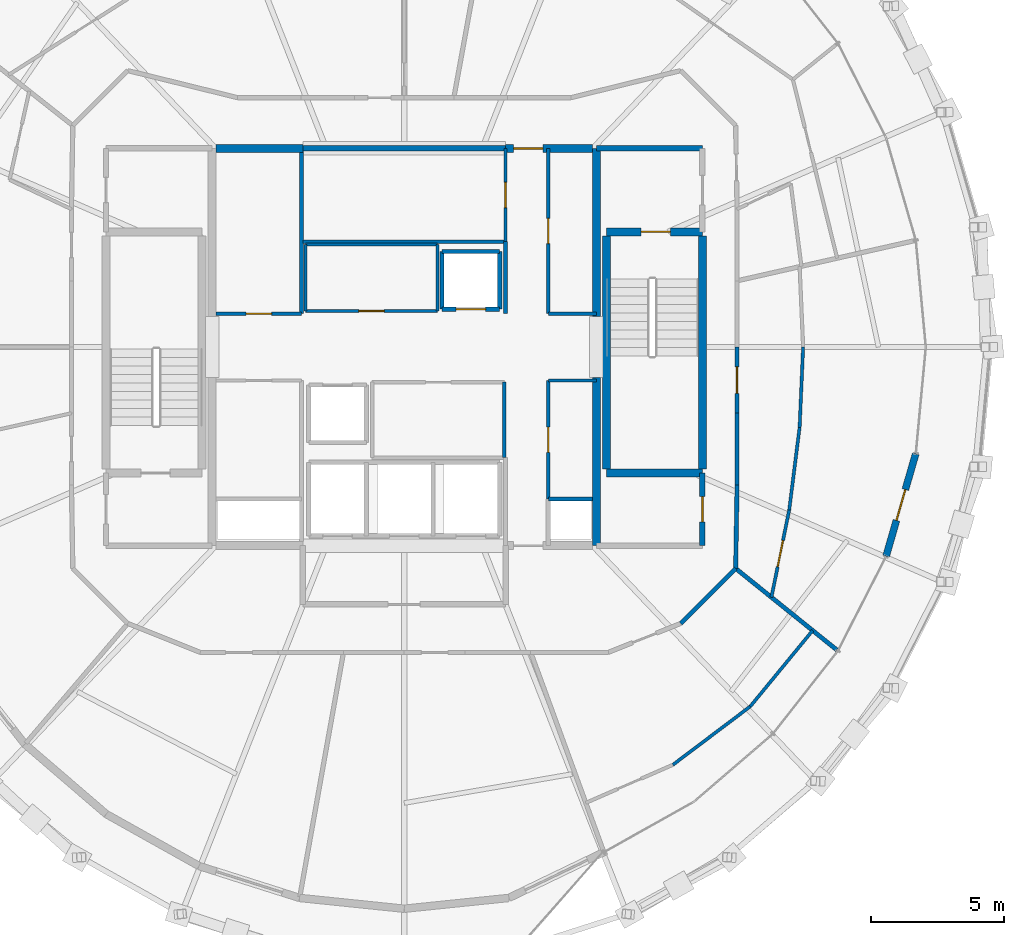
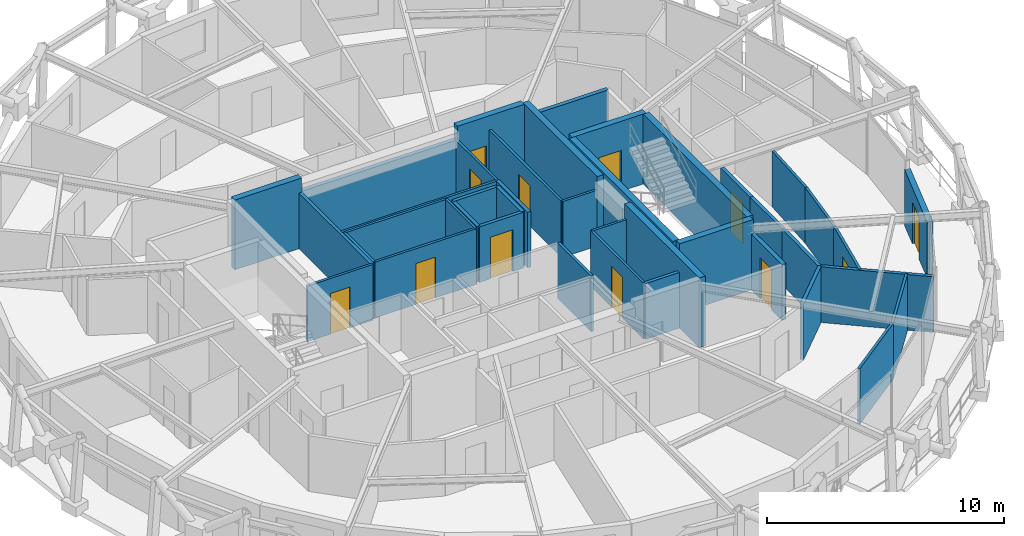
# One storey, part 12 of 15: 41 walls, 12 doors, 12 openings.
"""IFC4 building model written with IfcOpenShell, lengths in metres."""

from ifc_helpers import new_model, si_unit, direction, frame, frame_2d, origin, place, context, subcontext, project, spatial, rectangle, extrude, material, layer, layer_set, type_object, element, fill, save


model = new_model("IFC4")

# Units and contexts
model_context = context("Model", 3, precision=1e-05, world=origin(), true_north=direction((0.0, 1.0)))
body_context = subcontext(model_context, "Body", "Model", "MODEL_VIEW")
ifc_project = project(units=[si_unit("LENGTHUNIT", "METRE"), si_unit("AREAUNIT", "SQUARE_METRE"), si_unit("VOLUMEUNIT", "CUBIC_METRE"), si_unit("PLANEANGLEUNIT", "RADIAN"), si_unit("MASSUNIT", "GRAM", prefix="KILO")], contexts=[model_context])

# Site, building, storey
site_placement = place(None, origin())
site = spatial("IfcSite", under=ifc_project, at=site_placement, CompositionType="ELEMENT")
building_placement = place(site_placement, origin())
building = spatial("IfcBuilding", under=site, at=building_placement, Name="Veldorina Hangang Commons", CompositionType="ELEMENT")
storey_placement = place(building_placement, frame((0.0, 0.0, 261.60009765625)))
storey = spatial("IfcBuildingStorey", under=building, at=storey_placement, Name="L68", CompositionType="ELEMENT", Elevation=261.60009765625)

# Walls
ifc_material_1 = material(Name="Concrete C50/60", Category="concrete")
ifc_layer_1 = layer(ifc_material_1, 0.300048828125)
ifc_layer_set_1 = layer_set([ifc_layer_1], Name="Concrete C50/60")
wall_type_1 = type_object("IfcWallType", Name="CW-RC300-C50", PredefinedType="SHEAR", material=ifc_layer_set_1)
for number, where, z_axis, x_axis, name in (
    (1, (39.199951171875, 16.550048828125, 0.0), (0.0, 0.0, 1.0), (0.0, 1.0, 0.0), "L68 E south core shear wall"),
    (2, (39.199951171875, 25.14990234375, 0.0), (0.0, 0.0, 1.0), (0.0, 1.0, 0.0), "L68 E north core shear wall"),
):
    element("IfcWall", number, at=place(storey_placement, frame(where, z_axis=z_axis, x_axis=x_axis)), inside=storey, type_object=wall_type_1, Name=name, PredefinedType="SHEAR", context=body_context, shape_type="SweptSolid", body=[
        extrude(rectangle(XDim=6.300048828125, YDim=0.300048828125, at=frame_2d((3.14990234375, 0.0))), origin(), (0.0, 0.0, 1.0), 3.599853515625),
    ])
wall_1_placement = place(storey_placement, frame((24.949951171875, 31.449951171875, 0.0), z_axis=(0.0, 0.0, 1.0), x_axis=(1.0, 0.0, 0.0)))
element("IfcWall", 3, at=wall_1_placement, inside=storey, type_object=wall_type_1, Name="L68 north-west core shear wall", PredefinedType="SHEAR", context=body_context, shape_type="SweptSolid", body=[
    extrude(rectangle(XDim=3.25, YDim=0.300048828125, at=frame_2d((1.625, 0.0))), origin(), (0.0, 0.0, 1.0), 3.599853515625),
])

# Wall, opening, door
wall_2_placement = place(storey_placement, frame((35.800048828125, 31.449951171875, 0.0), z_axis=(0.0, 0.0, 1.0), x_axis=(1.0, 0.0, 0.0)))
wall_2 = element("IfcWall", 4, at=wall_2_placement, inside=storey, type_object=wall_type_1, Name="L68 north-east core shear wall", PredefinedType="SHEAR", context=body_context, shape_type="SweptSolid", body=[
    extrude(rectangle(XDim=3.25, YDim=0.300048828125, at=frame_2d((1.625, 0.0))), origin(), (0.0, 0.0, 1.0), 3.599853515625),
])
opening_1_placement = place(wall_2_placement, frame((0.300048828125, 0.0, 0.0)))
opening_1 = element("IfcOpeningElement", 5, at=opening_1_placement, cuts=wall_2, Name="Opening D-08", PredefinedType="OPENING", context=body_context, shape_type="SweptSolid", body=[
    extrude(rectangle(XDim=1.10009765625, YDim=2.10009765625, at=frame_2d((0.550048828125, 1.050048828125))), frame((0.0, 0.16015625, 0.0), z_axis=(0.0, -1.0, 0.0), x_axis=(1.0, 0.0, 0.0)), (0.0, 0.0, 1.0), 0.320068359375),
])
ifc_material_2 = material(Name="Steel Fire-Rated Smoke Seal", Category="steel")
door_type_1 = type_object("IfcDoorType", Name="DR-FIRE-1100", OperationType="SINGLE_SWING_RIGHT", PredefinedType="DOOR", material=ifc_material_2)
door_1_placement = place(opening_1_placement, origin())
door_1 = element("IfcDoor", 6, at=door_1_placement, inside=storey, type_object=door_type_1, Name="L68 central lift lobby north corridor door", OperationType="SINGLE_SWING_LEFT", OverallHeight=2.10009765625, OverallWidth=1.10009765625, PredefinedType="DOOR", context=body_context, shape_type="SweptSolid", body=[
    extrude(rectangle(XDim=1.10009765625, YDim=2.10009765625, at=frame_2d((0.550048828125, 1.050048828125))), frame((0.0, 0.02490234375, 0.0), z_axis=(0.0, -1.0, 0.0), x_axis=(1.0, 0.0, 0.0)), (0.0, 0.0, 1.0), 0.050048828125),
])
fill(opening_1, door_1)

ifc_material_3 = material(Name="Stone Roman Travertine", Category="masonry")
ifc_layer_2 = layer(ifc_material_3, 0.260009765625)
ifc_layer_set_2 = layer_set([ifc_layer_2], Name="Stone Roman Travertine")
wall_type_2 = type_object("IfcWallType", Name="EW-LOGGIA-260", PredefinedType="STANDARD", material=ifc_layer_set_2)
wall_3_placement = place(storey_placement, frame((50.066650390625, 16.154541015625, 0.0), z_axis=(0.0, 0.0, 1.0), x_axis=(0.277941104395, 0.960598117054, 0.0)))
wall_3 = element("IfcWall", 7, at=wall_3_placement, inside=storey, type_object=wall_type_2, Name="L68 sky-garden loggia portal wall 30", PredefinedType="STANDARD", context=body_context, shape_type="SweptSolid", body=[
    extrude(rectangle(XDim=4.003662109375, YDim=0.260009765625, at=frame_2d((2.001953125, 0.0))), origin(), (0.0, 0.0, 1.0), 2.8798828125),
])
opening_2_placement = place(wall_3_placement, frame((1.40185546875, 0.0, 0.0)))
opening_2 = element("IfcOpeningElement", 8, at=opening_2_placement, cuts=wall_3, Name="Opening BD-1200", PredefinedType="OPENING", context=body_context, shape_type="SweptSolid", body=[
    extrude(rectangle(XDim=1.199951171875, YDim=2.14990234375, at=frame_2d((0.60009765625, 1.074951171875))), frame((0.0, 0.14013671875, 0.0), z_axis=(0.0, -1.0, 0.0), x_axis=(1.0, 0.0, 0.0)), (0.0, 0.0, 1.0), 0.280029296875),
])
ifc_material_4 = material(Name="Glass Thermal Aluminium Frame", Category="aluminium")
door_type_2 = type_object("IfcDoorType", Name="DR-EXT-LOG1200", OperationType="SINGLE_SWING_LEFT", PredefinedType="DOOR", material=ifc_material_4)
door_2_placement = place(opening_2_placement, origin())
door_2 = element("IfcDoor", 9, at=door_2_placement, inside=storey, type_object=door_type_2, Name="L68 loggia glazed exterior door 30", OperationType="SINGLE_SWING_LEFT", OverallHeight=2.14990234375, OverallWidth=1.199951171875, PredefinedType="DOOR", context=body_context, shape_type="SweptSolid", body=[
    extrude(rectangle(XDim=1.199951171875, YDim=2.14990234375, at=frame_2d((0.60009765625, 1.074951171875))), frame((0.0, 0.02490234375, 0.0), z_axis=(0.0, -1.0, 0.0), x_axis=(1.0, 0.0, 0.0)), (0.0, 0.0, 1.0), 0.050048828125),
])
fill(opening_2, door_2)

# Walls
ifc_layer_3 = layer(ifc_material_1, 0.300048828125)
ifc_layer_set_3 = layer_set([ifc_layer_3], Name="Concrete C50/60")
wall_type_3 = type_object("IfcWallType", Name="SW-STAIR-300", PredefinedType="SHEAR", material=ifc_layer_set_3)
for number, where, z_axis, x_axis, name in (
    (10, (43.179931640625, 19.429931640625, 0.0), (0.0, 0.0, 1.0), (0.0, 1.0, 0.0), "L68 ST2 outer stair shear wall"),
    (11, (39.580078125, 19.429931640625, 0.0), (0.0, 0.0, 1.0), (0.0, 1.0, 0.0), "L68 ST2 inner stair shear wall"),
):
    element("IfcWall", number, at=place(storey_placement, frame(where, z_axis=z_axis, x_axis=x_axis)), inside=storey, type_object=wall_type_3, Name=name, PredefinedType="SHEAR", context=body_context, shape_type="SweptSolid", body=[
        extrude(rectangle(XDim=8.739990234375, YDim=0.300048828125, at=frame_2d((4.3701171875, 0.0))), origin(), (0.0, 0.0, 1.0), 3.599853515625),
    ])
wall_4_placement = place(storey_placement, frame((39.580078125, 19.280029296875, 0.0), z_axis=(0.0, 0.0, 1.0), x_axis=(1.0, 0.0, 0.0)))
element("IfcWall", 12, at=wall_4_placement, inside=storey, type_object=wall_type_3, Name="L68 ST2 south stair shear wall", PredefinedType="SHEAR", context=body_context, shape_type="SweptSolid", body=[
    extrude(rectangle(XDim=3.599853515625, YDim=0.300048828125, at=frame_2d((1.7998046875, 0.0))), origin(), (0.0, 0.0, 1.0), 3.599853515625),
])

# Wall, opening, door
wall_5_placement = place(storey_placement, frame((39.580078125, 28.320068359375, 0.0), z_axis=(0.0, 0.0, 1.0), x_axis=(1.0, 0.0, 0.0)))
wall_5 = element("IfcWall", 13, at=wall_5_placement, inside=storey, type_object=wall_type_3, Name="L68 ST2 north stair shear wall", PredefinedType="SHEAR", context=body_context, shape_type="SweptSolid", body=[
    extrude(rectangle(XDim=3.599853515625, YDim=0.300048828125, at=frame_2d((1.7998046875, 0.0))), origin(), (0.0, 0.0, 1.0), 3.599853515625),
])
opening_3_placement = place(wall_5_placement, frame((1.300048828125, 0.0, 0.0)))
opening_3 = element("IfcOpeningElement", 14, at=opening_3_placement, cuts=wall_5, Name="Opening D-08", PredefinedType="OPENING", context=body_context, shape_type="SweptSolid", body=[
    extrude(rectangle(XDim=1.10009765625, YDim=2.10009765625, at=frame_2d((0.550048828125, 1.050048828125))), frame((0.0, 0.16015625, 0.0), z_axis=(0.0, -1.0, 0.0), x_axis=(1.0, 0.0, 0.0)), (0.0, 0.0, 1.0), 0.320068359375),
])
door_3_placement = place(opening_3_placement, origin())
door_3 = element("IfcDoor", 15, at=door_3_placement, inside=storey, type_object=door_type_1, Name="L68 Special Escape Stair ST-2 door", OperationType="SINGLE_SWING_RIGHT", OverallHeight=2.10009765625, OverallWidth=1.10009765625, PredefinedType="DOOR", context=body_context, shape_type="SweptSolid", body=[
    extrude(rectangle(XDim=1.10009765625, YDim=2.10009765625, at=frame_2d((0.550048828125, 1.050048828125))), frame((0.0, 0.02490234375, 0.0), z_axis=(0.0, -1.0, 0.0), x_axis=(1.0, 0.0, 0.0)), (0.0, 0.0, 1.0), 0.050048828125),
])
fill(opening_3, door_3)

# Wall
ifc_material_5 = material(Name="Gypsum Fire-Rated Twin Stud Wall", Category="gypsum")
ifc_layer_4 = layer(ifc_material_5, 0.159912109375)
ifc_layer_set_4 = layer_set([ifc_layer_4], Name="Gypsum Fire-Rated Twin Stud Wall")
wall_type_4 = type_object("IfcWallType", Name="WL-FIRE-160", PredefinedType="SOLIDWALL", material=ifc_layer_set_4)
wall_6_placement = place(storey_placement, frame((35.800048828125, 25.25, 0.0), z_axis=(0.0, 0.0, 1.0), x_axis=(0.0, 1.0, 0.0)))
element("IfcWall", 16, at=wall_6_placement, inside=storey, type_object=wall_type_4, Name="L68 Lift passage NW lower wall 011", PredefinedType="SOLIDWALL", context=body_context, shape_type="SweptSolid", body=[
    extrude(rectangle(XDim=2.699951171875, YDim=0.159912109375, at=frame_2d((1.35009765625, 0.0))), origin(), (0.0, 0.0, 1.0), 2.869873046875),
])

# Wall, opening, door
wall_7_placement = place(storey_placement, frame((33.419921875, 25.419921875, 0.0), z_axis=(0.0, 0.0, 1.0), x_axis=(1.0, 0.0, 0.0)))
wall_7 = element("IfcWall", 17, at=wall_7_placement, inside=storey, type_object=wall_type_4, Name="L68 Mid-high front shaft wall 015", PredefinedType="SOLIDWALL", context=body_context, shape_type="SweptSolid", body=[
    extrude(rectangle(XDim=2.16015625, YDim=0.159912109375, at=frame_2d((1.080078125, 0.0))), origin(), (0.0, 0.0, 1.0), 2.869873046875),
])
opening_4_placement = place(wall_7_placement, frame((0.530029296875, 0.0, 0.0)))
opening_4 = element("IfcOpeningElement", 18, at=opening_4_placement, cuts=wall_7, Name="Opening LD-01", PredefinedType="OPENING", context=body_context, shape_type="SweptSolid", body=[
    extrude(rectangle(XDim=1.10009765625, YDim=2.14990234375, at=frame_2d((0.550048828125, 1.074951171875))), frame((0.0, 0.08984375, 0.0), z_axis=(0.0, -1.0, 0.0), x_axis=(1.0, 0.0, 0.0)), (0.0, 0.0, 1.0), 0.179931640625),
])
ifc_material_6 = material(Name="Stainless Steel Brushed Lift Door", Category="steel")
door_type_3 = type_object("IfcDoorType", Name="DR-LIFT-1100", OperationType="SLIDING_TO_LEFT", PredefinedType="DOOR", material=ifc_material_6)
door_4_placement = place(opening_4_placement, origin())
door_4 = element("IfcDoor", 19, at=door_4_placement, inside=storey, type_object=door_type_3, Name="L68 Lift PL-H1 landing door 006", OperationType="SLIDING_TO_RIGHT", OverallHeight=2.14990234375, OverallWidth=1.10009765625, PredefinedType="DOOR", context=body_context, shape_type="SweptSolid", body=[
    extrude(rectangle(XDim=1.10009765625, YDim=2.14990234375, at=frame_2d((0.550048828125, 1.074951171875))), frame((0.0, 0.02490234375, 0.0), z_axis=(0.0, -1.0, 0.0), x_axis=(1.0, 0.0, 0.0)), (0.0, 0.0, 1.0), 0.050048828125),
])
fill(opening_4, door_4)

# Walls
for number, where, z_axis, x_axis, name in (
    (20, (33.419921875, 27.580078125, 0.0), (0.0, 0.0, 1.0), (1.0, 0.0, 0.0), "L68 Mid-high rear shaft wall 016"),
    (21, (33.419921875, 25.419921875, 0.0), (0.0, 0.0, 1.0), (0.0, 1.0, 0.0), "L68 PL-H1 west shaft wall 017"),
    (22, (35.580078125, 25.419921875, 0.0), (0.0, 0.0, 1.0), (0.0, 1.0, 0.0), "L68 PL-H1 east shaft wall 018"),
):
    element("IfcWall", number, at=place(storey_placement, frame(where, z_axis=z_axis, x_axis=x_axis)), inside=storey, type_object=wall_type_4, Name=name, PredefinedType="SOLIDWALL", context=body_context, shape_type="SweptSolid", body=[
        extrude(rectangle(XDim=2.16015625, YDim=0.159912109375, at=frame_2d((1.080078125, 0.0))), origin(), (0.0, 0.0, 1.0), 2.869873046875),
    ])
wall_8_placement = place(storey_placement, frame((37.39990234375, 18.300048828125, 0.0), z_axis=(0.0, 0.0, 1.0), x_axis=(1.0, 0.0, 0.0)))
element("IfcWall", 23, at=wall_8_placement, inside=storey, type_object=wall_type_4, Name="L68 Plumbing riser wall 042", PredefinedType="SOLIDWALL", context=body_context, shape_type="SweptSolid", body=[
    extrude(rectangle(XDim=1.650146484375, YDim=0.159912109375, at=frame_2d((0.8251953125, 0.0))), origin(), (0.0, 0.0, 1.0), 2.869873046875),
])
wall_9_placement = place(storey_placement, frame((28.14990234375, 25.25, 0.0), z_axis=(0.0, 0.0, 1.0), x_axis=(0.0, 1.0, 0.0)))
element("IfcWall", 24, at=wall_9_placement, inside=storey, type_object=wall_type_4, Name="L68 NW core inner wall 043", PredefinedType="SOLIDWALL", context=body_context, shape_type="SweptSolid", body=[
    extrude(rectangle(XDim=6.10009765625, YDim=0.159912109375, at=frame_2d((3.050048828125, 0.0))), origin(), (0.0, 0.0, 1.0), 2.869873046875),
])
wall_10_placement = place(storey_placement, frame((42.364990234375, 13.635009765625, 0.0), z_axis=(0.0, 0.0, 1.0), x_axis=(0.707106781187, 0.707106781187, 0.0)))
element("IfcWall", 25, at=wall_10_placement, inside=storey, type_object=wall_type_4, Name="L68 Compact collar outer wall 28 078", PredefinedType="SOLIDWALL", context=body_context, shape_type="SweptSolid", body=[
    extrude(rectangle(XDim=2.915771484375, YDim=0.159912109375, at=frame_2d((1.4580078125, 0.0))), origin(), (0.0, 0.0, 1.0), 2.869873046875),
])
wall_11_placement = place(storey_placement, frame((44.4267578125, 15.69677734375, 0.0), z_axis=(0.0, 0.0, 1.0), x_axis=(0.016981035134, 0.999855811828, 0.0)))
element("IfcWall", 26, at=wall_11_placement, inside=storey, type_object=wall_type_4, Name="L68 Compact collar outer wall 29 079", PredefinedType="SOLIDWALL", context=body_context, shape_type="SweptSolid", body=[
    extrude(rectangle(XDim=3.13427734375, YDim=0.159912109375, at=frame_2d((1.567138671875, 0.0))), origin(), (0.0, 0.0, 1.0), 2.869873046875),
])
wall_12_placement = place(storey_placement, frame((44.47998046875, 18.83056640625, 0.0), z_axis=(0.0, 0.0, 1.0), x_axis=(0.0, 1.0, 0.0)))
element("IfcWall", 27, at=wall_12_placement, inside=storey, type_object=wall_type_4, Name="L68 Compact collar outer wall 30 080", PredefinedType="SOLIDWALL", context=body_context, shape_type="SweptSolid", body=[
    extrude(rectangle(XDim=2.68701171875, YDim=0.159912109375, at=frame_2d((1.343505859375, 0.0))), origin(), (0.0, 0.0, 1.0), 2.869873046875),
])

# Wall, opening, door
wall_13_placement = place(storey_placement, frame((44.47998046875, 21.517578125, 0.0), z_axis=(0.0, 0.0, 1.0), x_axis=(0.0, 1.0, 0.0)))
wall_13 = element("IfcWall", 28, at=wall_13_placement, inside=storey, type_object=wall_type_4, Name="L68 Compact collar outer wall 31 081", PredefinedType="SOLIDWALL", context=body_context, shape_type="SweptSolid", body=[
    extrude(rectangle(XDim=2.482421875, YDim=0.159912109375, at=frame_2d((1.2412109375, 0.0))), origin(), (0.0, 0.0, 1.0), 2.869873046875),
])
opening_5_placement = place(wall_13_placement, frame((0.7412109375, 0.0, 0.0)))
opening_5 = element("IfcOpeningElement", 29, at=opening_5_placement, cuts=wall_13, Name="Opening D-05", PredefinedType="OPENING", context=body_context, shape_type="SweptSolid", body=[
    extrude(rectangle(XDim=1.0, YDim=2.10009765625, at=frame_2d((0.5, 1.050048828125))), frame((0.0, 0.08984375, 0.0), z_axis=(0.0, -1.0, 0.0), x_axis=(1.0, 0.0, 0.0)), (0.0, 0.0, 1.0), 0.179931640625),
])
ifc_material_7 = material(Name="Timber Solid Core Acoustic", Category="wood")
door_type_4 = type_object("IfcDoorType", Name="DR-INT-1000", OperationType="SINGLE_SWING_RIGHT", PredefinedType="DOOR", material=ifc_material_7)
door_5_placement = place(opening_5_placement, origin())
door_5 = element("IfcDoor", 30, at=door_5_placement, inside=storey, type_object=door_type_4, Name="L68 Commons alcove door 018", OperationType="SINGLE_SWING_RIGHT", OverallHeight=2.10009765625, OverallWidth=1.0, PredefinedType="DOOR", context=body_context, shape_type="SweptSolid", body=[
    extrude(rectangle(XDim=1.0, YDim=2.10009765625, at=frame_2d((0.5, 1.050048828125))), frame((0.0, 0.02490234375, 0.0), z_axis=(0.0, -1.0, 0.0), x_axis=(1.0, 0.0, 0.0)), (0.0, 0.0, 1.0), 0.050048828125),
])
fill(opening_5, door_5)

# Walls
wall_14_placement = place(storey_placement, frame((44.4267578125, 15.69677734375, 0.0), z_axis=(0.0, 0.0, 1.0), x_axis=(0.778860000651, -0.627197815196, 0.0)))
element("IfcWall", 31, at=wall_14_placement, inside=storey, type_object=wall_type_4, Name="L68 Unit party wall 29 082", PredefinedType="SOLIDWALL", context=body_context, shape_type="SweptSolid", body=[
    extrude(rectangle(XDim=4.87109375, YDim=0.159912109375, at=frame_2d((2.435546875, 0.0))), origin(), (0.0, 0.0, 1.0), 2.869873046875),
])
ifc_material_8 = material(Name="Concrete Blockwork Fire Wall C30/37", Category="masonry")
ifc_layer_5 = layer(ifc_material_8, 0.199951171875)
ifc_layer_set_5 = layer_set([ifc_layer_5], Name="Concrete Blockwork Fire Wall C30/37")
wall_type_5 = type_object("IfcWallType", Name="WL-FIRE-200", PredefinedType="SOLIDWALL", material=ifc_layer_set_5)
wall_15_placement = place(storey_placement, frame((39.199951171875, 31.449951171875, 0.0), z_axis=(0.0, 0.0, 1.0), x_axis=(1.0, 0.0, 0.0)))
element("IfcWall", 32, at=wall_15_placement, inside=storey, type_object=wall_type_5, Name="L68 East vestibule north wall 004", PredefinedType="SOLIDWALL", context=body_context, shape_type="SweptSolid", body=[
    extrude(rectangle(XDim=3.97998046875, YDim=0.199951171875, at=frame_2d((1.989990234375, 0.0))), origin(), (0.0, 0.0, 1.0), 2.869873046875),
])

# Wall, opening, door
wall_16_placement = place(storey_placement, frame((43.179931640625, 16.550048828125, 0.0), z_axis=(0.0, 0.0, 1.0), x_axis=(0.0, 1.0, 0.0)))
wall_16 = element("IfcWall", 33, at=wall_16_placement, inside=storey, type_object=wall_type_5, Name="L68 SE core room outer wall 007", PredefinedType="SOLIDWALL", context=body_context, shape_type="SweptSolid", body=[
    extrude(rectangle(XDim=2.72998046875, YDim=0.199951171875, at=frame_2d((1.364990234375, 0.0))), origin(), (0.0, 0.0, 1.0), 2.869873046875),
])
opening_6_placement = place(wall_16_placement, frame((0.889892578125, 0.0, 0.0)))
opening_6 = element("IfcOpeningElement", 34, at=opening_6_placement, cuts=wall_16, Name="Opening D-02", PredefinedType="OPENING", context=body_context, shape_type="SweptSolid", body=[
    extrude(rectangle(XDim=0.949951171875, YDim=2.10009765625, at=frame_2d((0.47509765625, 1.050048828125))), frame((0.0, 0.10986328125, 0.0), z_axis=(0.0, -1.0, 0.0), x_axis=(1.0, 0.0, 0.0)), (0.0, 0.0, 1.0), 0.219970703125),
])
door_type_5 = type_object("IfcDoorType", Name="DR-INT-950", OperationType="SINGLE_SWING_LEFT", PredefinedType="DOOR", material=ifc_material_7)
door_6_placement = place(opening_6_placement, origin())
door_6 = element("IfcDoor", 35, at=door_6_placement, inside=storey, type_object=door_type_5, Name="L68 SE core WC door 004", OperationType="SINGLE_SWING_RIGHT", OverallHeight=2.10009765625, OverallWidth=0.949951171875, PredefinedType="DOOR", context=body_context, shape_type="SweptSolid", body=[
    extrude(rectangle(XDim=0.949951171875, YDim=2.10009765625, at=frame_2d((0.47509765625, 1.050048828125))), frame((0.0, 0.02490234375, 0.0), z_axis=(0.0, -1.0, 0.0), x_axis=(1.0, 0.0, 0.0)), (0.0, 0.0, 1.0), 0.050048828125),
])
fill(opening_6, door_6)

# Walls
wall_17_placement = place(storey_placement, frame((28.199951171875, 31.449951171875, 0.0), z_axis=(0.0, 0.0, 1.0), x_axis=(1.0, 0.0, 0.0)))
element("IfcWall", 36, at=wall_17_placement, inside=storey, type_object=wall_type_5, Name="L68 Merged north core wall 029", PredefinedType="SOLIDWALL", context=body_context, shape_type="SweptSolid", body=[
    extrude(rectangle(XDim=7.60009765625, YDim=0.199951171875, at=frame_2d((3.800048828125, 0.0))), origin(), (0.0, 0.0, 1.0), 2.869873046875),
])
ifc_material_9 = material(Name="Gypsum Acoustic Stud Partition", Category="gypsum")
ifc_layer_6 = layer(ifc_material_9, 0.1201171875)
ifc_layer_set_6 = layer_set([ifc_layer_6], Name="Gypsum Acoustic Stud Partition")
wall_type_6 = type_object("IfcWallType", Name="WL-PART-120", PredefinedType="PARTITIONING", material=ifc_layer_set_6)
wall_18_placement = place(storey_placement, frame((28.199951171875, 27.949951171875, 0.0), z_axis=(0.0, 0.0, 1.0), x_axis=(1.0, 0.0, 0.0)))
element("IfcWall", 37, at=wall_18_placement, inside=storey, type_object=wall_type_6, Name="L68 Merged north south wall 030", PredefinedType="PARTITIONING", context=body_context, shape_type="SweptSolid", body=[
    extrude(rectangle(XDim=7.60009765625, YDim=0.1201171875, at=frame_2d((3.800048828125, 0.0))), origin(), (0.0, 0.0, 1.0), 2.869873046875),
])

# Wall, opening, door
wall_19_placement = place(storey_placement, frame((35.800048828125, 27.949951171875, 0.0), z_axis=(0.0, 0.0, 1.0), x_axis=(0.0, 1.0, 0.0)))
wall_19 = element("IfcWall", 38, at=wall_19_placement, inside=storey, type_object=wall_type_6, Name="L68 Merged north east wall 031", PredefinedType="PARTITIONING", context=body_context, shape_type="SweptSolid", body=[
    extrude(rectangle(XDim=3.5, YDim=0.1201171875, at=frame_2d((1.75, 0.0))), origin(), (0.0, 0.0, 1.0), 2.869873046875),
])
opening_7_placement = place(wall_19_placement, frame((1.27490234375, 0.0, 0.0)))
opening_7 = element("IfcOpeningElement", 39, at=opening_7_placement, cuts=wall_19, Name="Opening D-02", PredefinedType="OPENING", context=body_context, shape_type="SweptSolid", body=[
    extrude(rectangle(XDim=0.949951171875, YDim=2.10009765625, at=frame_2d((0.47509765625, 1.050048828125))), frame((0.0, 0.070068359375, 0.0), z_axis=(0.0, -1.0, 0.0), x_axis=(1.0, 0.0, 0.0)), (0.0, 0.0, 1.0), 0.14013671875),
])
door_7_placement = place(opening_7_placement, origin())
door_7 = element("IfcDoor", 40, at=door_7_placement, inside=storey, type_object=door_type_5, Name="L68 Merged north room lobby door 011", OperationType="SINGLE_SWING_LEFT", OverallHeight=2.10009765625, OverallWidth=0.949951171875, PredefinedType="DOOR", context=body_context, shape_type="SweptSolid", body=[
    extrude(rectangle(XDim=0.949951171875, YDim=2.10009765625, at=frame_2d((0.47509765625, 1.050048828125))), frame((0.0, 0.02490234375, 0.0), z_axis=(0.0, -1.0, 0.0), x_axis=(1.0, 0.0, 0.0)), (0.0, 0.0, 1.0), 0.050048828125),
])
fill(opening_7, door_7)

wall_20_placement = place(storey_placement, frame((28.300048828125, 25.35009765625, 0.0), z_axis=(0.0, 0.0, 1.0), x_axis=(1.0, 0.0, 0.0)))
wall_20 = element("IfcWall", 41, at=wall_20_placement, inside=storey, type_object=wall_type_6, Name="L68 Merged mid-bank south wall 032", PredefinedType="PARTITIONING", context=body_context, shape_type="SweptSolid", body=[
    extrude(rectangle(XDim=4.949951171875, YDim=0.1201171875, at=frame_2d((2.47509765625, 0.0))), origin(), (0.0, 0.0, 1.0), 2.869873046875),
])
opening_8_placement = place(wall_20_placement, frame((2.0, 0.0, 0.0)))
opening_8 = element("IfcOpeningElement", 42, at=opening_8_placement, cuts=wall_20, Name="Opening D-02", PredefinedType="OPENING", context=body_context, shape_type="SweptSolid", body=[
    extrude(rectangle(XDim=0.949951171875, YDim=2.10009765625, at=frame_2d((0.47509765625, 1.050048828125))), frame((0.0, 0.070068359375, 0.0), z_axis=(0.0, -1.0, 0.0), x_axis=(1.0, 0.0, 0.0)), (0.0, 0.0, 1.0), 0.14013671875),
])
door_8_placement = place(opening_8_placement, origin())
door_8 = element("IfcDoor", 43, at=door_8_placement, inside=storey, type_object=door_type_5, Name="L68 Quiet study room door 012", OperationType="SINGLE_SWING_RIGHT", OverallHeight=2.10009765625, OverallWidth=0.949951171875, PredefinedType="DOOR", context=body_context, shape_type="SweptSolid", body=[
    extrude(rectangle(XDim=0.949951171875, YDim=2.10009765625, at=frame_2d((0.47509765625, 1.050048828125))), frame((0.0, 0.02490234375, 0.0), z_axis=(0.0, -1.0, 0.0), x_axis=(1.0, 0.0, 0.0)), (0.0, 0.0, 1.0), 0.050048828125),
])
fill(opening_8, door_8)

# Walls
wall_21_placement = place(storey_placement, frame((28.300048828125, 27.85009765625, 0.0), z_axis=(0.0, 0.0, 1.0), x_axis=(1.0, 0.0, 0.0)))
element("IfcWall", 44, at=wall_21_placement, inside=storey, type_object=wall_type_6, Name="L68 Merged mid-bank north wall 033", PredefinedType="PARTITIONING", context=body_context, shape_type="SweptSolid", body=[
    extrude(rectangle(XDim=4.949951171875, YDim=0.1201171875, at=frame_2d((2.47509765625, 0.0))), origin(), (0.0, 0.0, 1.0), 2.869873046875),
])
for number, where, z_axis, x_axis, name in (
    (45, (28.300048828125, 25.35009765625, 0.0), (0.0, 0.0, 1.0), (0.0, 1.0, 0.0), "L68 Merged mid-bank west wall 034"),
    (46, (33.25, 25.35009765625, 0.0), (0.0, 0.0, 1.0), (0.0, 1.0, 0.0), "L68 Merged mid-bank east wall 035"),
):
    element("IfcWall", number, at=place(storey_placement, frame(where, z_axis=z_axis, x_axis=x_axis)), inside=storey, type_object=wall_type_6, Name=name, PredefinedType="PARTITIONING", context=body_context, shape_type="SweptSolid", body=[
        extrude(rectangle(XDim=2.5, YDim=0.1201171875, at=frame_2d((1.25, 0.0))), origin(), (0.0, 0.0, 1.0), 2.869873046875),
    ])
wall_22_placement = place(storey_placement, frame((35.75, 19.85009765625, 0.0), z_axis=(0.0, 0.0, 1.0), x_axis=(0.0, 1.0, 0.0)))
element("IfcWall", 47, at=wall_22_placement, inside=storey, type_object=wall_type_6, Name="L68 Merged shuttle east wall 039", PredefinedType="PARTITIONING", context=body_context, shape_type="SweptSolid", body=[
    extrude(rectangle(XDim=2.829833984375, YDim=0.1201171875, at=frame_2d((1.4150390625, 0.0))), origin(), (0.0, 0.0, 1.0), 2.869873046875),
])

# Wall, opening, door
wall_23_placement = place(storey_placement, frame((24.949951171875, 25.25, 0.0), z_axis=(0.0, 0.0, 1.0), x_axis=(1.0, 0.0, 0.0)))
wall_23 = element("IfcWall", 48, at=wall_23_placement, inside=storey, type_object=wall_type_6, Name="L68 NW service south wall 044", PredefinedType="PARTITIONING", context=body_context, shape_type="SweptSolid", body=[
    extrude(rectangle(XDim=3.199951171875, YDim=0.1201171875, at=frame_2d((1.60009765625, 0.0))), origin(), (0.0, 0.0, 1.0), 2.869873046875),
])
opening_9_placement = place(wall_23_placement, frame((1.125, 0.0, 0.0)))
opening_9 = element("IfcOpeningElement", 49, at=opening_9_placement, cuts=wall_23, Name="Opening D-02", PredefinedType="OPENING", context=body_context, shape_type="SweptSolid", body=[
    extrude(rectangle(XDim=0.949951171875, YDim=2.10009765625, at=frame_2d((0.47509765625, 1.050048828125))), frame((0.0, 0.070068359375, 0.0), z_axis=(0.0, -1.0, 0.0), x_axis=(1.0, 0.0, 0.0)), (0.0, 0.0, 1.0), 0.14013671875),
])
door_9_placement = place(opening_9_placement, origin())
door_9 = element("IfcDoor", 50, at=door_9_placement, inside=storey, type_object=door_type_5, Name="L68 Housekeeping store door 014", OperationType="SINGLE_SWING_RIGHT", OverallHeight=2.10009765625, OverallWidth=0.949951171875, PredefinedType="DOOR", context=body_context, shape_type="SweptSolid", body=[
    extrude(rectangle(XDim=0.949951171875, YDim=2.10009765625, at=frame_2d((0.47509765625, 1.050048828125))), frame((0.0, 0.02490234375, 0.0), z_axis=(0.0, -1.0, 0.0), x_axis=(1.0, 0.0, 0.0)), (0.0, 0.0, 1.0), 0.050048828125),
])
fill(opening_9, door_9)

wall_24_placement = place(storey_placement, frame((37.39990234375, 25.25, 0.0), z_axis=(0.0, 0.0, 1.0), x_axis=(0.0, 1.0, 0.0)))
wall_24 = element("IfcWall", 51, at=wall_24_placement, inside=storey, type_object=wall_type_6, Name="L68 NE strip lobby wall 046", PredefinedType="PARTITIONING", context=body_context, shape_type="SweptSolid", body=[
    extrude(rectangle(XDim=6.199951171875, YDim=0.1201171875, at=frame_2d((3.10009765625, 0.0))), origin(), (0.0, 0.0, 1.0), 2.869873046875),
])
opening_10_placement = place(wall_24_placement, frame((2.625, 0.0, 0.0)))
opening_10 = element("IfcOpeningElement", 52, at=opening_10_placement, cuts=wall_24, Name="Opening D-02", PredefinedType="OPENING", context=body_context, shape_type="SweptSolid", body=[
    extrude(rectangle(XDim=0.949951171875, YDim=2.10009765625, at=frame_2d((0.47509765625, 1.050048828125))), frame((0.0, 0.070068359375, 0.0), z_axis=(0.0, -1.0, 0.0), x_axis=(1.0, 0.0, 0.0)), (0.0, 0.0, 1.0), 0.14013671875),
])
door_10_placement = place(opening_10_placement, origin())
door_10 = element("IfcDoor", 53, at=door_10_placement, inside=storey, type_object=door_type_5, Name="L68 Comms room door 016", OperationType="SINGLE_SWING_RIGHT", OverallHeight=2.10009765625, OverallWidth=0.949951171875, PredefinedType="DOOR", context=body_context, shape_type="SweptSolid", body=[
    extrude(rectangle(XDim=0.949951171875, YDim=2.10009765625, at=frame_2d((0.47509765625, 1.050048828125))), frame((0.0, 0.02490234375, 0.0), z_axis=(0.0, -1.0, 0.0), x_axis=(1.0, 0.0, 0.0)), (0.0, 0.0, 1.0), 0.050048828125),
])
fill(opening_10, door_10)

# Wall
wall_25_placement = place(storey_placement, frame((37.39990234375, 25.25, 0.0), z_axis=(0.0, 0.0, 1.0), x_axis=(1.0, 0.0, 0.0)))
element("IfcWall", 54, at=wall_25_placement, inside=storey, type_object=wall_type_6, Name="L68 NE strip south return wall 047", PredefinedType="PARTITIONING", context=body_context, shape_type="SweptSolid", body=[
    extrude(rectangle(XDim=1.800048828125, YDim=0.1201171875, at=frame_2d((0.89990234375, 0.0))), origin(), (0.0, 0.0, 1.0), 2.869873046875),
])

# Wall, opening, door
wall_26_placement = place(storey_placement, frame((37.39990234375, 18.300048828125, 0.0), z_axis=(0.0, 0.0, 1.0), x_axis=(0.0, 1.0, 0.0)))
wall_26 = element("IfcWall", 55, at=wall_26_placement, inside=storey, type_object=wall_type_6, Name="L68 SE strip lobby wall 048", PredefinedType="PARTITIONING", context=body_context, shape_type="SweptSolid", body=[
    extrude(rectangle(XDim=4.449951171875, YDim=0.1201171875, at=frame_2d((2.22509765625, 0.0))), origin(), (0.0, 0.0, 1.0), 2.869873046875),
])
opening_11_placement = place(wall_26_placement, frame((1.75, 0.0, 0.0)))
opening_11 = element("IfcOpeningElement", 56, at=opening_11_placement, cuts=wall_26, Name="Opening D-02", PredefinedType="OPENING", context=body_context, shape_type="SweptSolid", body=[
    extrude(rectangle(XDim=0.949951171875, YDim=2.10009765625, at=frame_2d((0.47509765625, 1.050048828125))), frame((0.0, 0.070068359375, 0.0), z_axis=(0.0, -1.0, 0.0), x_axis=(1.0, 0.0, 0.0)), (0.0, 0.0, 1.0), 0.14013671875),
])
door_11_placement = place(opening_11_placement, origin())
door_11 = element("IfcDoor", 57, at=door_11_placement, inside=storey, type_object=door_type_5, Name="L68 BMS closet door 017", OperationType="SINGLE_SWING_LEFT", OverallHeight=2.10009765625, OverallWidth=0.949951171875, PredefinedType="DOOR", context=body_context, shape_type="SweptSolid", body=[
    extrude(rectangle(XDim=0.949951171875, YDim=2.10009765625, at=frame_2d((0.47509765625, 1.050048828125))), frame((0.0, 0.02490234375, 0.0), z_axis=(0.0, -1.0, 0.0), x_axis=(1.0, 0.0, 0.0)), (0.0, 0.0, 1.0), 0.050048828125),
])
fill(opening_11, door_11)

# Wall
wall_27_placement = place(storey_placement, frame((37.39990234375, 22.75, 0.0), z_axis=(0.0, 0.0, 1.0), x_axis=(1.0, 0.0, 0.0)))
element("IfcWall", 58, at=wall_27_placement, inside=storey, type_object=wall_type_6, Name="L68 SE strip north return wall 049", PredefinedType="PARTITIONING", context=body_context, shape_type="SweptSolid", body=[
    extrude(rectangle(XDim=1.800048828125, YDim=0.1201171875, at=frame_2d((0.89990234375, 0.0))), origin(), (0.0, 0.0, 1.0), 2.869873046875),
])

# Wall, opening, door
wall_28_placement = place(storey_placement, frame((45.768310546875, 14.616455078125, 0.0), z_axis=(0.0, 0.0, 1.0), x_axis=(0.199413694959, 0.979915393421, 0.0)))
wall_28 = element("IfcWall", 59, at=wall_28_placement, inside=storey, type_object=wall_type_6, Name="L68 Lounge alcove split 0 083", PredefinedType="PARTITIONING", context=body_context, shape_type="SweptSolid", body=[
    extrude(rectangle(XDim=3.3447265625, YDim=0.1201171875, at=frame_2d((1.67236328125, 0.0))), origin(), (0.0, 0.0, 1.0), 2.869873046875),
])
opening_12_placement = place(wall_28_placement, frame((1.17236328125, 0.0, 0.0)))
opening_12 = element("IfcOpeningElement", 60, at=opening_12_placement, cuts=wall_28, Name="Opening D-05", PredefinedType="OPENING", context=body_context, shape_type="SweptSolid", body=[
    extrude(rectangle(XDim=1.0, YDim=2.10009765625, at=frame_2d((0.5, 1.050048828125))), frame((0.0, 0.070068359375, 0.0), z_axis=(0.0, -1.0, 0.0), x_axis=(1.0, 0.0, 0.0)), (0.0, 0.0, 1.0), 0.14013671875),
])
door_12_placement = place(opening_12_placement, origin())
door_12 = element("IfcDoor", 61, at=door_12_placement, inside=storey, type_object=door_type_4, Name="L68 Commons lounge door 019", OperationType="SINGLE_SWING_LEFT", OverallHeight=2.10009765625, OverallWidth=1.0, PredefinedType="DOOR", context=body_context, shape_type="SweptSolid", body=[
    extrude(rectangle(XDim=1.0, YDim=2.10009765625, at=frame_2d((0.5, 1.050048828125))), frame((0.0, 0.02490234375, 0.0), z_axis=(0.0, -1.0, 0.0), x_axis=(1.0, 0.0, 0.0)), (0.0, 0.0, 1.0), 0.050048828125),
])
fill(opening_12, door_12)

# Walls
wall_29_placement = place(storey_placement, frame((46.435302734375, 17.89404296875, 0.0), z_axis=(0.0, 0.0, 1.0), x_axis=(0.12493122441, 0.992165404138, 0.0)))
element("IfcWall", 62, at=wall_29_placement, inside=storey, type_object=wall_type_6, Name="L68 Lounge alcove split 1 084", PredefinedType="PARTITIONING", context=body_context, shape_type="SweptSolid", body=[
    extrude(rectangle(XDim=3.116943359375, YDim=0.1201171875, at=frame_2d((1.55859375, 0.0))), origin(), (0.0, 0.0, 1.0), 2.869873046875),
])
wall_30_placement = place(storey_placement, frame((46.82470703125, 20.986572265625, 0.0), z_axis=(0.0, 0.0, 1.0), x_axis=(0.043626899023, 0.999047893587, 0.0)))
element("IfcWall", 63, at=wall_30_placement, inside=storey, type_object=wall_type_6, Name="L68 Lounge alcove split 2 085", PredefinedType="PARTITIONING", context=body_context, shape_type="SweptSolid", body=[
    extrude(rectangle(XDim=3.016357421875, YDim=0.1201171875, at=frame_2d((1.50830078125, 0.0))), origin(), (0.0, 0.0, 1.0), 2.869873046875),
])
wall_31_placement = place(storey_placement, frame((42.0712890625, 8.33447265625, 0.0), z_axis=(0.0, 0.0, 1.0), x_axis=(0.798457814545, 0.602050760644, 0.0)))
element("IfcWall", 64, at=wall_31_placement, inside=storey, type_object=wall_type_6, Name="L68 Laundry split 1 113", PredefinedType="PARTITIONING", context=body_context, shape_type="SweptSolid", body=[
    extrude(rectangle(XDim=3.634521484375, YDim=0.1201171875, at=frame_2d((1.8173828125, 0.0))), origin(), (0.0, 0.0, 1.0), 2.869873046875),
])
wall_32_placement = place(storey_placement, frame((44.973388671875, 10.522705078125, 0.0), z_axis=(0.0, 0.0, 1.0), x_axis=(0.634808611793, 0.772669415982, 0.0)))
element("IfcWall", 65, at=wall_32_placement, inside=storey, type_object=wall_type_6, Name="L68 Laundry split 2 114", PredefinedType="PARTITIONING", context=body_context, shape_type="SweptSolid", body=[
    extrude(rectangle(XDim=3.68701171875, YDim=0.1201171875, at=frame_2d((1.843505859375, 0.0))), origin(), (0.0, 0.0, 1.0), 2.869873046875),
])

save(model, "model.ifc")
